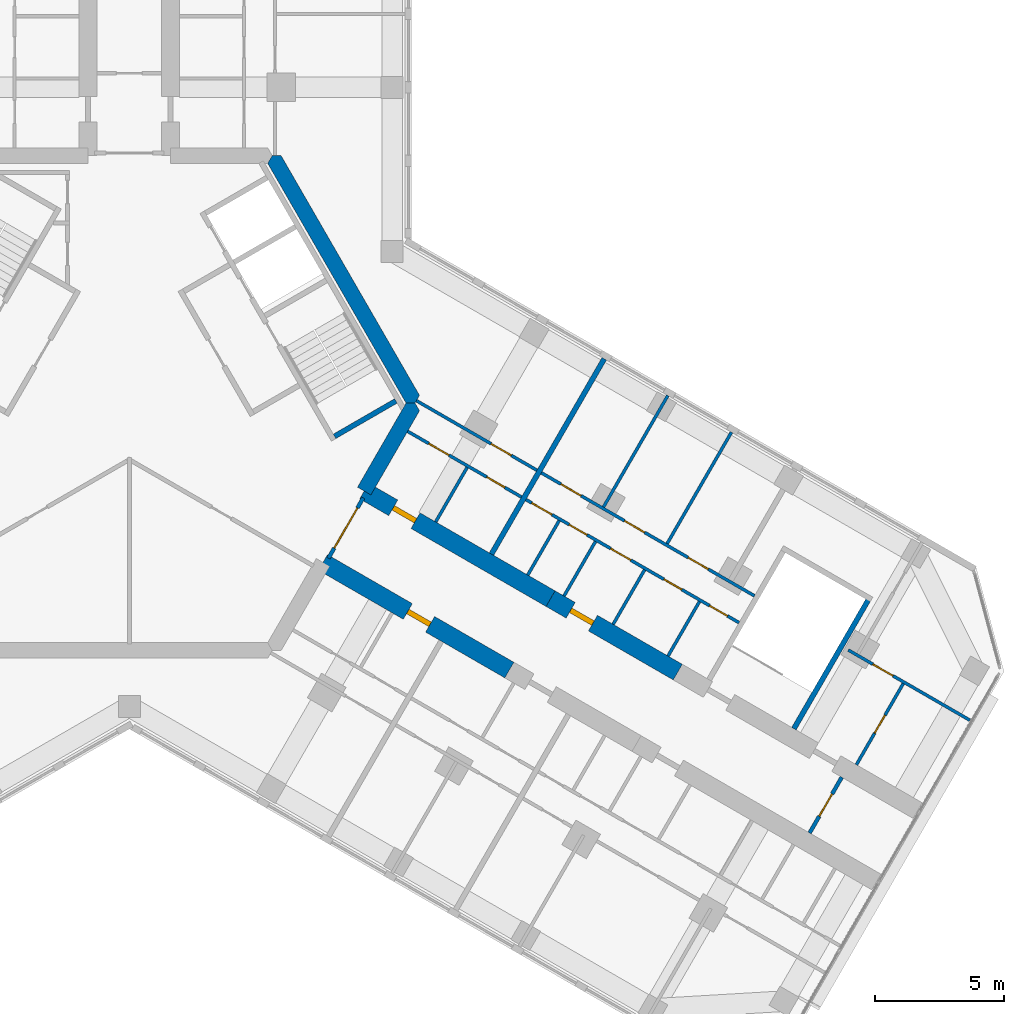
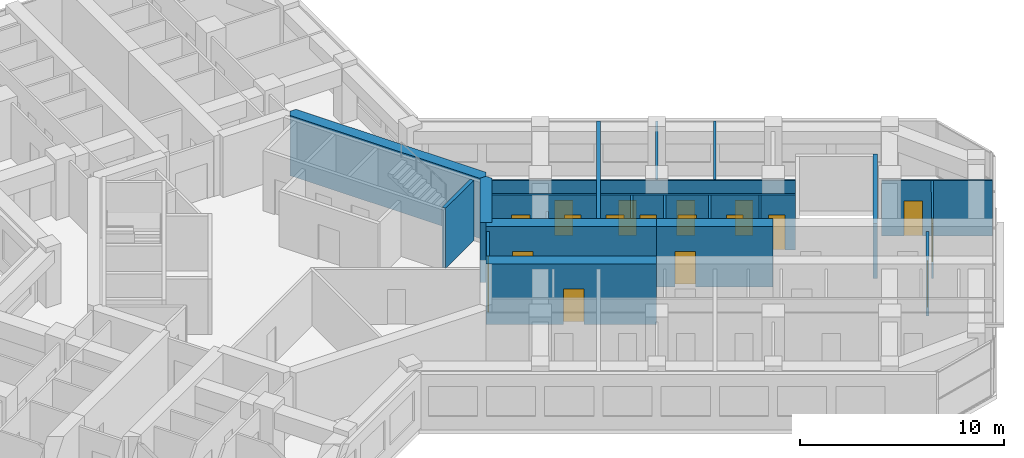
# One storey, part 12 of 16: 23 walls, 18 doors, 18 openings.
"""IFC4 building model written with IfcOpenShell, lengths in metres."""

from ifc_helpers import new_model, si_unit, direction, frame, frame_2d, origin, place, context, subcontext, project, spatial, polyline, rectangle, outline, extrude, material, layer, layer_set, type_object, element, fill, save


model = new_model("IFC4")

# Units and contexts
model_context = context("Model", 3, precision=1e-05, world=origin(), true_north=direction((0.0, 1.0)))
body_context = subcontext(model_context, "Body", "Model", "MODEL_VIEW")
ifc_project = project(units=[si_unit("LENGTHUNIT", "METRE"), si_unit("AREAUNIT", "SQUARE_METRE"), si_unit("VOLUMEUNIT", "CUBIC_METRE"), si_unit("PLANEANGLEUNIT", "RADIAN"), si_unit("MASSUNIT", "GRAM", prefix="KILO")], contexts=[model_context])

# Site, building, storey
site_placement = place(None, origin())
site = spatial("IfcSite", under=ifc_project, at=site_placement, CompositionType="ELEMENT")
building_placement = place(site_placement, origin())
building = spatial("IfcBuilding", under=site, at=building_placement, Name="Kosmar Iwan School Tower", CompositionType="ELEMENT")
storey_placement = place(building_placement, frame((0.0, 0.0, 256.800048828125)))
storey = spatial("IfcBuildingStorey", under=building, at=storey_placement, Name="L65", CompositionType="ELEMENT", Elevation=256.800048828125)

# Walls
ifc_material_1 = material(Name="Concrete C50/60", Category="concrete")
ifc_layer_1 = layer(ifc_material_1, 0.60009765625)
ifc_layer_set_1 = layer_set([ifc_layer_1], Name="Core wall 600")
wall_type_1 = type_object("IfcWallType", Name="Core wall 600", PredefinedType="SHEAR", material=ifc_layer_set_1)
wall_1_placement = place(storey_placement, origin())
element("IfcWall", 1, at=wall_1_placement, inside=storey, type_object=wall_type_1, Name="Core wall F030", PredefinedType="SHEAR", context=body_context, shape_type="SweptSolid", body=[
    extrude(outline(polyline([(10.73876953125, 0.0), (11.085205078125, 0.0), (11.25830078125, 0.300048828125), (5.888916015625, 9.60009765625), (5.54248046875, 9.60009765625), (5.369384765625, 9.300048828125), (10.73876953125, 0.0)])), origin(), (0.0, 0.0, 1.0), 3.599853515625),
])
wall_2_placement = place(storey_placement, origin())
element("IfcWall", 2, at=wall_2_placement, inside=storey, type_object=wall_type_1, Name="Core wall F330b", PredefinedType="SHEAR", context=body_context, shape_type="SweptSolid", body=[
    extrude(outline(polyline([(9.37353515625, -3.564453125), (11.25830078125, -0.300048828125), (11.085205078125, 0.0), (10.73876953125, 0.0), (8.85400390625, -3.264404296875), (9.37353515625, -3.564453125)])), origin(), (0.0, 0.0, 1.0), 3.599853515625),
])

# Wall, opening, door
ifc_material_2 = material(Name="Concrete C50/60", Category="concrete")
ifc_layer_2 = layer(ifc_material_2, 0.699951171875)
ifc_layer_set_2 = layer_set([ifc_layer_2], Name="Corridor buttress wall 700")
wall_type_2 = type_object("IfcWallType", Name="Corridor buttress wall 700", PredefinedType="SHEAR", material=ifc_layer_set_2)
wall_3_placement = place(storey_placement, frame((9.11376953125, -3.414306640625, 0.0), z_axis=(0.0, 0.0, 1.0), x_axis=(0.866026859388, -0.499997478812, 0.0)))
wall_3 = element("IfcWall", 3, at=wall_3_placement, inside=storey, type_object=wall_type_2, Name="Corridor wall CL", PredefinedType="SHEAR", context=body_context, shape_type="SweptSolid", body=[
    extrude(rectangle(XDim=8.35009765625, YDim=0.699951171875, at=frame_2d((4.175048828125, 0.0))), origin(), (0.0, 0.0, 1.0), 3.599853515625),
])
opening_1_placement = place(wall_3_placement, frame((1.300048828125, 0.0, 0.0)))
opening_1 = element("IfcOpeningElement", 4, at=opening_1_placement, cuts=wall_3, Name="Opening D1", PredefinedType="OPENING", context=body_context, shape_type="SweptSolid", body=[
    extrude(rectangle(XDim=1.0, YDim=2.10009765625, at=frame_2d((0.5, 1.050048828125))), frame((0.0, 0.362060546875, 0.0), z_axis=(0.0, -1.0, 0.0), x_axis=(1.0, 0.0, 0.0)), (0.0, 0.0, 1.0), 0.723876953125),
])
ifc_material_3 = material(Name="Timber fire door in steel frame", Category="steel")
door_type_1 = type_object("IfcDoorType", Name="Flat entrance door 1000x2100", OperationType="SINGLE_SWING_LEFT", PredefinedType="DOOR", material=ifc_material_3)
door_1_placement = place(opening_1_placement, origin())
door_1 = element("IfcDoor", 5, at=door_1_placement, inside=storey, type_object=door_type_1, Name="Flat L65-CL1 entrance door", OperationType="SINGLE_SWING_RIGHT", OverallHeight=2.10009765625, OverallWidth=1.0, PredefinedType="DOOR", context=body_context, shape_type="SweptSolid", body=[
    extrude(rectangle(XDim=1.0, YDim=2.10009765625, at=frame_2d((0.5, 1.050048828125))), frame((0.0, 0.10009765625, 0.0), z_axis=(0.0, -1.0, 0.0), x_axis=(1.0, 0.0, 0.0)), (0.0, 0.0, 1.0), 0.199951171875),
])
fill(opening_1, door_1)

wall_4_placement = place(storey_placement, frame((16.34521484375, -7.58935546875, 0.0), z_axis=(0.0, 0.0, 1.0), x_axis=(0.866015111908, -0.50001782563, 0.0)))
wall_4 = element("IfcWall", 6, at=wall_4_placement, inside=storey, type_object=wall_type_2, Name="Corridor wall CL bay 2", PredefinedType="SHEAR", context=body_context, shape_type="SweptSolid", body=[
    extrude(rectangle(XDim=5.699951171875, YDim=0.699951171875, at=frame_2d((2.85009765625, 0.0))), origin(), (0.0, 0.0, 1.0), 3.599853515625),
])
opening_2_placement = place(wall_4_placement, frame((0.89990234375, 0.0, 0.0)))
opening_2 = element("IfcOpeningElement", 7, at=opening_2_placement, cuts=wall_4, Name="Opening D1", PredefinedType="OPENING", context=body_context, shape_type="SweptSolid", body=[
    extrude(rectangle(XDim=1.0, YDim=2.10009765625, at=frame_2d((0.5, 1.050048828125))), frame((0.0, 0.362060546875, 0.0), z_axis=(0.0, -1.0, 0.0), x_axis=(1.0, 0.0, 0.0)), (0.0, 0.0, 1.0), 0.723876953125),
])
door_2_placement = place(opening_2_placement, origin())
door_2 = element("IfcDoor", 8, at=door_2_placement, inside=storey, type_object=door_type_1, Name="Flat L65-CL2 entrance door", OperationType="SINGLE_SWING_LEFT", OverallHeight=2.10009765625, OverallWidth=1.0, PredefinedType="DOOR", context=body_context, shape_type="SweptSolid", body=[
    extrude(rectangle(XDim=1.0, YDim=2.10009765625, at=frame_2d((0.5, 1.050048828125))), frame((0.0, 0.10009765625, 0.0), z_axis=(0.0, -1.0, 0.0), x_axis=(1.0, 0.0, 0.0)), (0.0, 0.0, 1.0), 0.199951171875),
])
fill(opening_2, door_2)

wall_5_placement = place(storey_placement, frame((7.513916015625, -6.185546875, 0.0), z_axis=(0.0, 0.0, 1.0), x_axis=(0.866019549707, -0.500010139422, 0.0)))
wall_5 = element("IfcWall", 9, at=wall_5_placement, inside=storey, type_object=wall_type_2, Name="Corridor wall CR", PredefinedType="SHEAR", context=body_context, shape_type="SweptSolid", body=[
    extrude(rectangle(XDim=8.349853515625, YDim=0.699951171875, at=frame_2d((4.1748046875, 0.0))), origin(), (0.0, 0.0, 1.0), 3.599853515625),
])
opening_3_placement = place(wall_5_placement, frame((3.800048828125, 0.0, 0.0)))
opening_3 = element("IfcOpeningElement", 10, at=opening_3_placement, cuts=wall_5, Name="Opening D1", PredefinedType="OPENING", context=body_context, shape_type="SweptSolid", body=[
    extrude(rectangle(XDim=1.0, YDim=2.10009765625, at=frame_2d((0.5, 1.050048828125))), frame((0.0, 0.362060546875, 0.0), z_axis=(0.0, -1.0, 0.0), x_axis=(1.0, 0.0, 0.0)), (0.0, 0.0, 1.0), 0.723876953125),
])
door_3_placement = place(opening_3_placement, origin())
door_3 = element("IfcDoor", 11, at=door_3_placement, inside=storey, type_object=door_type_1, Name="Flat L65-CR1 entrance door", OperationType="SINGLE_SWING_RIGHT", OverallHeight=2.10009765625, OverallWidth=1.0, PredefinedType="DOOR", context=body_context, shape_type="SweptSolid", body=[
    extrude(rectangle(XDim=1.0, YDim=2.10009765625, at=frame_2d((0.5, 1.050048828125))), frame((0.0, 0.10009765625, 0.0), z_axis=(0.0, -1.0, 0.0), x_axis=(1.0, 0.0, 0.0)), (0.0, 0.0, 1.0), 0.199951171875),
])
fill(opening_3, door_3)

ifc_material_4 = material(Name="Gypsum board on steel studs, fire-rated", Category="steel")
ifc_layer_3 = layer(ifc_material_4, 0.14990234375)
ifc_layer_set_3 = layer_set([ifc_layer_3], Name="Corridor end wall 150")
wall_type_3 = type_object("IfcWallType", Name="Corridor end wall 150", PredefinedType="PARTITIONING", material=ifc_layer_set_3)
wall_6_placement = place(storey_placement, frame((26.39501953125, -16.6826171875, 0.0), z_axis=(0.0, 0.0, 1.0), x_axis=(0.500004234368, 0.866022959057, 0.0)))
wall_6 = element("IfcWall", 12, at=wall_6_placement, inside=storey, type_object=wall_type_3, Name="Partition L65-C-CE", PredefinedType="PARTITIONING", context=body_context, shape_type="SweptSolid", body=[
    extrude(rectangle(XDim=2.5, YDim=0.14990234375, at=frame_2d((1.25, 0.0))), origin(), (0.0, 0.0, 1.0), 3.300048828125),
])
opening_4_placement = place(wall_6_placement, frame((0.75, 0.0, 0.0)))
opening_4 = element("IfcOpeningElement", 13, at=opening_4_placement, cuts=wall_6, Name="Opening D13", PredefinedType="OPENING", context=body_context, shape_type="SweptSolid", body=[
    extrude(rectangle(XDim=1.0, YDim=2.10009765625, at=frame_2d((0.5, 1.050048828125))), frame((0.0, 0.0869140625, 0.0), z_axis=(0.0, -1.0, 0.0), x_axis=(1.0, 0.0, 0.0)), (0.0, 0.0, 1.0), 0.173828125),
])
ifc_material_5 = material(Name="Timber fire door with vision panel", Category="wood")
door_type_2 = type_object("IfcDoorType", Name="Corridor end door 1000x2100", OperationType="SINGLE_SWING_LEFT", PredefinedType="DOOR", material=ifc_material_5)
door_4_placement = place(opening_4_placement, origin())
door_4 = element("IfcDoor", 14, at=door_4_placement, inside=storey, type_object=door_type_2, Name="Laundry and drying room door L65-C", OperationType="SINGLE_SWING_LEFT", OverallHeight=2.10009765625, OverallWidth=1.0, PredefinedType="DOOR", context=body_context, shape_type="SweptSolid", body=[
    extrude(rectangle(XDim=1.0, YDim=2.10009765625, at=frame_2d((0.5, 1.050048828125))), frame((0.0, 0.02490234375, 0.0), z_axis=(0.0, -1.0, 0.0), x_axis=(1.0, 0.0, 0.0)), (0.0, 0.0, 1.0), 0.050048828125),
])
fill(opening_4, door_4)

ifc_material_6 = material(Name="Steel framed glazed screen", Category="steel")
ifc_layer_4 = layer(ifc_material_6, 0.14990234375)
ifc_layer_set_4 = layer_set([ifc_layer_4], Name="Corridor screen wall 150")
wall_type_4 = type_object("IfcWallType", Name="Corridor screen wall 150", PredefinedType="PARTITIONING", material=ifc_layer_set_4)
wall_7_placement = place(storey_placement, frame((7.725341796875, -6.01904296875, 0.0), z_axis=(0.0, 0.0, 1.0), x_axis=(0.500048589285, 0.86599734893, 0.0)))
wall_7 = element("IfcWall", 15, at=wall_7_placement, inside=storey, type_object=wall_type_4, Name="Corridor screen C L65", PredefinedType="PARTITIONING", context=body_context, shape_type="SweptSolid", body=[
    extrude(rectangle(XDim=2.699951171875, YDim=0.14990234375, at=frame_2d((1.35009765625, 0.0))), origin(), (0.0, 0.0, 1.0), 3.300048828125),
])
opening_5_placement = place(wall_7_placement, frame((0.449951171875, 0.0, 0.0)))
opening_5 = element("IfcOpeningElement", 16, at=opening_5_placement, cuts=wall_7, Name="Opening D9", PredefinedType="OPENING", context=body_context, shape_type="SweptSolid", body=[
    extrude(rectangle(XDim=1.800048828125, YDim=2.10009765625, at=frame_2d((0.89990234375, 1.050048828125))), frame((0.0, 0.0869140625, 0.0), z_axis=(0.0, -1.0, 0.0), x_axis=(1.0, 0.0, 0.0)), (0.0, 0.0, 1.0), 0.173828125),
])
ifc_material_7 = material(Name="Steel framed glazed smoke door", Category="steel")
door_type_3 = type_object("IfcDoorType", Name="Corridor smoke door pair 1800x2100", OperationType="DOUBLE_DOOR_DOUBLE_SWING", PredefinedType="DOOR", material=ifc_material_7)
door_5_placement = place(opening_5_placement, origin())
door_5 = element("IfcDoor", 17, at=door_5_placement, inside=storey, type_object=door_type_3, Name="Corridor doors C L65", OperationType="DOUBLE_DOOR_DOUBLE_SWING", OverallHeight=2.10009765625, OverallWidth=1.800048828125, PredefinedType="DOOR", context=body_context, shape_type="SweptSolid", body=[
    extrude(rectangle(XDim=1.800048828125, YDim=2.10009765625, at=frame_2d((0.89990234375, 1.050048828125))), frame((0.0, 0.02490234375, 0.0), z_axis=(0.0, -1.0, 0.0), x_axis=(1.0, 0.0, 0.0)), (0.0, 0.0, 1.0), 0.050048828125),
])
fill(opening_5, door_5)

# Wall, openings, doors
ifc_material_8 = material(Name="Gypsum board on steel studs", Category="steel")
ifc_layer_5 = layer(ifc_material_8, 0.1201171875)
ifc_layer_set_5 = layer_set([ifc_layer_5], Name="Dwelling partition 120")
wall_type_5 = type_object("IfcWallType", Name="Dwelling partition 120", PredefinedType="PARTITIONING", material=ifc_layer_set_5)
wall_8_placement = place(storey_placement, frame((10.798583984375, -1.09619140625, 0.0), z_axis=(0.0, 0.0, 1.0), x_axis=(0.86602216432, -0.500005610874, 0.0)))
wall_8 = element("IfcWall", 18, at=wall_8_placement, inside=storey, type_object=wall_type_5, Name="Partition L65-CL1-W1", PredefinedType="PARTITIONING", context=body_context, shape_type="SweptSolid", body=[
    extrude(rectangle(XDim=5.10009765625, YDim=0.1201171875, at=frame_2d((2.550048828125, 0.0))), origin(), (0.0, 0.0, 1.0), 3.300048828125),
])
opening_6_placement = place(wall_8_placement, frame((0.949951171875, 0.0, 0.0)))
opening_6 = element("IfcOpeningElement", 19, at=opening_6_placement, cuts=wall_8, Name="Opening D2", PredefinedType="OPENING", context=body_context, shape_type="SweptSolid", body=[
    extrude(rectangle(XDim=0.89990234375, YDim=2.10009765625, at=frame_2d((0.449951171875, 1.050048828125))), frame((0.0, 0.072021484375, 0.0), z_axis=(0.0, -1.0, 0.0), x_axis=(1.0, 0.0, 0.0)), (0.0, 0.0, 1.0), 0.14404296875),
])
opening_7_placement = place(wall_8_placement, frame((3.550048828125, 0.0, 0.0)))
opening_7 = element("IfcOpeningElement", 20, at=opening_7_placement, cuts=wall_8, Name="Opening D3", PredefinedType="OPENING", context=body_context, shape_type="SweptSolid", body=[
    extrude(rectangle(XDim=0.800048828125, YDim=2.10009765625, at=frame_2d((0.39990234375, 1.050048828125))), frame((0.0, 0.072021484375, 0.0), z_axis=(0.0, -1.0, 0.0), x_axis=(1.0, 0.0, 0.0)), (0.0, 0.0, 1.0), 0.14404296875),
])
ifc_material_9 = material(Name="Timber door in timber frame", Category="wood")
door_type_4 = type_object("IfcDoorType", Name="Internal door 900x2100", OperationType="SINGLE_SWING_LEFT", PredefinedType="DOOR", material=ifc_material_9)
door_6_placement = place(opening_6_placement, origin())
door_6 = element("IfcDoor", 21, at=door_6_placement, inside=storey, type_object=door_type_4, Name="Entrance hall door L65-CL1-S1", OperationType="SINGLE_SWING_LEFT", OverallHeight=2.10009765625, OverallWidth=0.89990234375, PredefinedType="DOOR", context=body_context, shape_type="SweptSolid", body=[
    extrude(rectangle(XDim=0.89990234375, YDim=2.10009765625, at=frame_2d((0.449951171875, 1.050048828125))), frame((0.0, 0.02490234375, 0.0), z_axis=(0.0, -1.0, 0.0), x_axis=(1.0, 0.0, 0.0)), (0.0, 0.0, 1.0), 0.050048828125),
])
fill(opening_6, door_6)
ifc_material_10 = material(Name="Timber door in timber frame", Category="wood")
door_type_5 = type_object("IfcDoorType", Name="Sanitary room door 800x2100", OperationType="SINGLE_SWING_LEFT", PredefinedType="DOOR", material=ifc_material_10)
door_7_placement = place(opening_7_placement, origin())
door_7 = element("IfcDoor", 22, at=door_7_placement, inside=storey, type_object=door_type_5, Name="Bathroom door L65-CL1-S2", OperationType="SINGLE_SWING_RIGHT", OverallHeight=2.10009765625, OverallWidth=0.800048828125, PredefinedType="DOOR", context=body_context, shape_type="SweptSolid", body=[
    extrude(rectangle(XDim=0.800048828125, YDim=2.10009765625, at=frame_2d((0.39990234375, 1.050048828125))), frame((0.0, 0.02490234375, 0.0), z_axis=(0.0, -1.0, 0.0), x_axis=(1.0, 0.0, 0.0)), (0.0, 0.0, 1.0), 0.050048828125),
])
fill(opening_7, door_7)

# Wall, opening, door
wall_9_placement = place(storey_placement, frame((11.138916015625, 0.093017578125, 0.0), z_axis=(0.0, 0.0, 1.0), x_axis=(0.866028230842, -0.499995103361, 0.0)))
wall_9 = element("IfcWall", 23, at=wall_9_placement, inside=storey, type_object=wall_type_5, Name="Partition L65-CL1-W2", PredefinedType="PARTITIONING", context=body_context, shape_type="SweptSolid", body=[
    extrude(rectangle(XDim=5.39990234375, YDim=0.1201171875, at=frame_2d((2.699951171875, 0.0))), origin(), (0.0, 0.0, 1.0), 3.300048828125),
])
opening_8_placement = place(wall_9_placement, frame((3.35009765625, 0.0, 0.0)))
opening_8 = element("IfcOpeningElement", 24, at=opening_8_placement, cuts=wall_9, Name="Opening D2", PredefinedType="OPENING", context=body_context, shape_type="SweptSolid", body=[
    extrude(rectangle(XDim=0.89990234375, YDim=2.10009765625, at=frame_2d((0.449951171875, 1.050048828125))), frame((0.0, 0.072021484375, 0.0), z_axis=(0.0, -1.0, 0.0), x_axis=(1.0, 0.0, 0.0)), (0.0, 0.0, 1.0), 0.14404296875),
])
door_8_placement = place(opening_8_placement, origin())
door_8 = element("IfcDoor", 25, at=door_8_placement, inside=storey, type_object=door_type_4, Name="Studio living room and kitchen door L65-CL1-F1", OperationType="SINGLE_SWING_RIGHT", OverallHeight=2.10009765625, OverallWidth=0.89990234375, PredefinedType="DOOR", context=body_context, shape_type="SweptSolid", body=[
    extrude(rectangle(XDim=0.89990234375, YDim=2.10009765625, at=frame_2d((0.449951171875, 1.050048828125))), frame((0.0, 0.02490234375, 0.0), z_axis=(0.0, -1.0, 0.0), x_axis=(1.0, 0.0, 0.0)), (0.0, 0.0, 1.0), 0.050048828125),
])
fill(opening_8, door_8)

# Wall
wall_10_placement = place(storey_placement, frame((11.886962890625, -4.611328125, 0.0), z_axis=(0.0, 0.0, 1.0), x_axis=(0.499959183527, 0.866048967903, 0.0)))
element("IfcWall", 26, at=wall_10_placement, inside=storey, type_object=wall_type_5, Name="Partition L65-CL1-Y1", PredefinedType="PARTITIONING", context=body_context, shape_type="SweptSolid", body=[
    extrude(rectangle(XDim=2.440185546875, YDim=0.1201171875, at=frame_2d((1.22021484375, 0.0))), origin(), (0.0, 0.0, 1.0), 2.300048828125),
])

# Wall, openings, doors
wall_11_placement = place(storey_placement, frame((15.388671875, -3.74609375, 0.0), z_axis=(0.0, 0.0, 1.0), x_axis=(0.866017851049, -0.500013081493, 0.0)))
wall_11 = element("IfcWall", 27, at=wall_11_placement, inside=storey, type_object=wall_type_5, Name="Partition L65-CL2-W1", PredefinedType="PARTITIONING", context=body_context, shape_type="SweptSolid", body=[
    extrude(rectangle(XDim=9.550048828125, YDim=0.1201171875, at=frame_2d((4.77490234375, 0.0))), origin(), (0.0, 0.0, 1.0), 3.300048828125),
])
opening_9_placement = place(wall_11_placement, frame((0.262451171875, 0.0, 0.0)))
opening_9 = element("IfcOpeningElement", 28, at=opening_9_placement, cuts=wall_11, Name="Opening D2", PredefinedType="OPENING", context=body_context, shape_type="SweptSolid", body=[
    extrude(rectangle(XDim=0.89990234375, YDim=2.10009765625, at=frame_2d((0.449951171875, 1.050048828125))), frame((0.0, 0.072021484375, 0.0), z_axis=(0.0, -1.0, 0.0), x_axis=(1.0, 0.0, 0.0)), (0.0, 0.0, 1.0), 0.14404296875),
])
opening_10_placement = place(wall_11_placement, frame((1.9375, 0.0, 0.0)))
opening_10 = element("IfcOpeningElement", 29, at=opening_10_placement, cuts=wall_11, Name="Opening D3", PredefinedType="OPENING", context=body_context, shape_type="SweptSolid", body=[
    extrude(rectangle(XDim=0.800048828125, YDim=2.10009765625, at=frame_2d((0.39990234375, 1.050048828125))), frame((0.0, 0.072021484375, 0.0), z_axis=(0.0, -1.0, 0.0), x_axis=(1.0, 0.0, 0.0)), (0.0, 0.0, 1.0), 0.14404296875),
])
opening_11_placement = place(wall_11_placement, frame((3.800048828125, 0.0, 0.0)))
opening_11 = element("IfcOpeningElement", 30, at=opening_11_placement, cuts=wall_11, Name="Opening D2", PredefinedType="OPENING", context=body_context, shape_type="SweptSolid", body=[
    extrude(rectangle(XDim=0.89990234375, YDim=2.10009765625, at=frame_2d((0.449951171875, 1.050048828125))), frame((0.0, 0.072021484375, 0.0), z_axis=(0.0, -1.0, 0.0), x_axis=(1.0, 0.0, 0.0)), (0.0, 0.0, 1.0), 0.14404296875),
])
opening_12_placement = place(wall_11_placement, frame((6.179931640625, 0.0, 0.0)))
opening_12 = element("IfcOpeningElement", 31, at=opening_12_placement, cuts=wall_11, Name="Opening D3", PredefinedType="OPENING", context=body_context, shape_type="SweptSolid", body=[
    extrude(rectangle(XDim=0.800048828125, YDim=2.10009765625, at=frame_2d((0.39990234375, 1.050048828125))), frame((0.0, 0.072021484375, 0.0), z_axis=(0.0, -1.0, 0.0), x_axis=(1.0, 0.0, 0.0)), (0.0, 0.0, 1.0), 0.14404296875),
])
opening_13_placement = place(wall_11_placement, frame((8.22998046875, 0.0, 0.0)))
opening_13 = element("IfcOpeningElement", 32, at=opening_13_placement, cuts=wall_11, Name="Opening D3", PredefinedType="OPENING", context=body_context, shape_type="SweptSolid", body=[
    extrude(rectangle(XDim=0.800048828125, YDim=2.10009765625, at=frame_2d((0.39990234375, 1.050048828125))), frame((0.0, 0.072021484375, 0.0), z_axis=(0.0, -1.0, 0.0), x_axis=(1.0, 0.0, 0.0)), (0.0, 0.0, 1.0), 0.14404296875),
])
door_9_placement = place(opening_9_placement, origin())
door_9 = element("IfcDoor", 33, at=door_9_placement, inside=storey, type_object=door_type_4, Name="Pantry door L65-CL2-S1", OperationType="SINGLE_SWING_LEFT", OverallHeight=2.10009765625, OverallWidth=0.89990234375, PredefinedType="DOOR", context=body_context, shape_type="SweptSolid", body=[
    extrude(rectangle(XDim=0.89990234375, YDim=2.10009765625, at=frame_2d((0.449951171875, 1.050048828125))), frame((0.0, 0.02490234375, 0.0), z_axis=(0.0, -1.0, 0.0), x_axis=(1.0, 0.0, 0.0)), (0.0, 0.0, 1.0), 0.050048828125),
])
fill(opening_9, door_9)
door_10_placement = place(opening_11_placement, origin())
door_10 = element("IfcDoor", 34, at=door_10_placement, inside=storey, type_object=door_type_4, Name="Entrance hall door L65-CL2-S3", OperationType="SINGLE_SWING_LEFT", OverallHeight=2.10009765625, OverallWidth=0.89990234375, PredefinedType="DOOR", context=body_context, shape_type="SweptSolid", body=[
    extrude(rectangle(XDim=0.89990234375, YDim=2.10009765625, at=frame_2d((0.449951171875, 1.050048828125))), frame((0.0, 0.02490234375, 0.0), z_axis=(0.0, -1.0, 0.0), x_axis=(1.0, 0.0, 0.0)), (0.0, 0.0, 1.0), 0.050048828125),
])
fill(opening_11, door_10)
door_11_placement = place(opening_10_placement, origin())
door_11 = element("IfcDoor", 35, at=door_11_placement, inside=storey, type_object=door_type_5, Name="Grandparents' shower room door L65-CL2-S2", OperationType="SINGLE_SWING_LEFT", OverallHeight=2.10009765625, OverallWidth=0.800048828125, PredefinedType="DOOR", context=body_context, shape_type="SweptSolid", body=[
    extrude(rectangle(XDim=0.800048828125, YDim=2.10009765625, at=frame_2d((0.39990234375, 1.050048828125))), frame((0.0, 0.02490234375, 0.0), z_axis=(0.0, -1.0, 0.0), x_axis=(1.0, 0.0, 0.0)), (0.0, 0.0, 1.0), 0.050048828125),
])
fill(opening_10, door_11)
door_12_placement = place(opening_12_placement, origin())
door_12 = element("IfcDoor", 36, at=door_12_placement, inside=storey, type_object=door_type_5, Name="Bathroom door L65-CL2-S4", OperationType="SINGLE_SWING_RIGHT", OverallHeight=2.10009765625, OverallWidth=0.800048828125, PredefinedType="DOOR", context=body_context, shape_type="SweptSolid", body=[
    extrude(rectangle(XDim=0.800048828125, YDim=2.10009765625, at=frame_2d((0.39990234375, 1.050048828125))), frame((0.0, 0.02490234375, 0.0), z_axis=(0.0, -1.0, 0.0), x_axis=(1.0, 0.0, 0.0)), (0.0, 0.0, 1.0), 0.050048828125),
])
fill(opening_12, door_12)
door_13_placement = place(opening_13_placement, origin())
door_13 = element("IfcDoor", 37, at=door_13_placement, inside=storey, type_object=door_type_5, Name="Shower room door L65-CL2-S5", OperationType="SINGLE_SWING_RIGHT", OverallHeight=2.10009765625, OverallWidth=0.800048828125, PredefinedType="DOOR", context=body_context, shape_type="SweptSolid", body=[
    extrude(rectangle(XDim=0.800048828125, YDim=2.10009765625, at=frame_2d((0.39990234375, 1.050048828125))), frame((0.0, 0.02490234375, 0.0), z_axis=(0.0, -1.0, 0.0), x_axis=(1.0, 0.0, 0.0)), (0.0, 0.0, 1.0), 0.050048828125),
])
fill(opening_13, door_13)

wall_12_placement = place(storey_placement, frame((15.988525390625, -2.70703125, 0.0), z_axis=(0.0, 0.0, 1.0), x_axis=(0.866028920859, -0.499993908199, 0.0)))
wall_12 = element("IfcWall", 38, at=wall_12_placement, inside=storey, type_object=wall_type_5, Name="Partition L65-CL2-W2", PredefinedType="PARTITIONING", context=body_context, shape_type="SweptSolid", body=[
    extrude(rectangle(XDim=9.5498046875, YDim=0.1201171875, at=frame_2d((4.77490234375, 0.0))), origin(), (0.0, 0.0, 1.0), 3.300048828125),
])
opening_14_placement = place(wall_12_placement, frame((0.875, 0.0, 0.0)))
opening_14 = element("IfcOpeningElement", 39, at=opening_14_placement, cuts=wall_12, Name="Opening D2", PredefinedType="OPENING", context=body_context, shape_type="SweptSolid", body=[
    extrude(rectangle(XDim=0.89990234375, YDim=2.10009765625, at=frame_2d((0.449951171875, 1.050048828125))), frame((0.0, 0.072021484375, 0.0), z_axis=(0.0, -1.0, 0.0), x_axis=(1.0, 0.0, 0.0)), (0.0, 0.0, 1.0), 0.14404296875),
])
opening_15_placement = place(wall_12_placement, frame((3.72509765625, 0.0, 0.0)))
opening_15 = element("IfcOpeningElement", 40, at=opening_15_placement, cuts=wall_12, Name="Opening D2", PredefinedType="OPENING", context=body_context, shape_type="SweptSolid", body=[
    extrude(rectangle(XDim=0.89990234375, YDim=2.10009765625, at=frame_2d((0.449951171875, 1.050048828125))), frame((0.0, 0.072021484375, 0.0), z_axis=(0.0, -1.0, 0.0), x_axis=(1.0, 0.0, 0.0)), (0.0, 0.0, 1.0), 0.14404296875),
])
opening_16_placement = place(wall_12_placement, frame((6.574951171875, 0.0, 0.0)))
opening_16 = element("IfcOpeningElement", 41, at=opening_16_placement, cuts=wall_12, Name="Opening D2", PredefinedType="OPENING", context=body_context, shape_type="SweptSolid", body=[
    extrude(rectangle(XDim=0.89990234375, YDim=2.10009765625, at=frame_2d((0.449951171875, 1.050048828125))), frame((0.0, 0.072021484375, 0.0), z_axis=(0.0, -1.0, 0.0), x_axis=(1.0, 0.0, 0.0)), (0.0, 0.0, 1.0), 0.14404296875),
])
door_14_placement = place(opening_14_placement, origin())
door_14 = element("IfcDoor", 42, at=door_14_placement, inside=storey, type_object=door_type_4, Name="Bedroom 1 door L65-CL2-F1", OperationType="SINGLE_SWING_LEFT", OverallHeight=2.10009765625, OverallWidth=0.89990234375, PredefinedType="DOOR", context=body_context, shape_type="SweptSolid", body=[
    extrude(rectangle(XDim=0.89990234375, YDim=2.10009765625, at=frame_2d((0.449951171875, 1.050048828125))), frame((0.0, 0.02490234375, 0.0), z_axis=(0.0, -1.0, 0.0), x_axis=(1.0, 0.0, 0.0)), (0.0, 0.0, 1.0), 0.050048828125),
])
fill(opening_14, door_14)
door_15_placement = place(opening_15_placement, origin())
door_15 = element("IfcDoor", 43, at=door_15_placement, inside=storey, type_object=door_type_4, Name="Living room and kitchen door L65-CL2-F2", OperationType="SINGLE_SWING_RIGHT", OverallHeight=2.10009765625, OverallWidth=0.89990234375, PredefinedType="DOOR", context=body_context, shape_type="SweptSolid", body=[
    extrude(rectangle(XDim=0.89990234375, YDim=2.10009765625, at=frame_2d((0.449951171875, 1.050048828125))), frame((0.0, 0.02490234375, 0.0), z_axis=(0.0, -1.0, 0.0), x_axis=(1.0, 0.0, 0.0)), (0.0, 0.0, 1.0), 0.050048828125),
])
fill(opening_15, door_15)
door_16_placement = place(opening_16_placement, origin())
door_16 = element("IfcDoor", 44, at=door_16_placement, inside=storey, type_object=door_type_4, Name="Grandparents' suite door L65-CL2-F3", OperationType="SINGLE_SWING_LEFT", OverallHeight=2.10009765625, OverallWidth=0.89990234375, PredefinedType="DOOR", context=body_context, shape_type="SweptSolid", body=[
    extrude(rectangle(XDim=0.89990234375, YDim=2.10009765625, at=frame_2d((0.449951171875, 1.050048828125))), frame((0.0, 0.02490234375, 0.0), z_axis=(0.0, -1.0, 0.0), x_axis=(1.0, 0.0, 0.0)), (0.0, 0.0, 1.0), 0.050048828125),
])
fill(opening_16, door_16)

# Walls
wall_13_placement = place(storey_placement, frame((18.400146484375, -4.030029296875, 0.0), z_axis=(0.0, 0.0, 1.0), x_axis=(0.500011847778, 0.866018563358, 0.0)))
element("IfcWall", 45, at=wall_13_placement, inside=storey, type_object=wall_type_5, Name="Partition L65-CL2-X1", PredefinedType="PARTITIONING", context=body_context, shape_type="SweptSolid", body=[
    extrude(rectangle(XDim=4.990234375, YDim=0.1201171875, at=frame_2d((2.4951171875, 0.0))), origin(), (0.0, 0.0, 1.0), 3.300048828125),
])
wall_14_placement = place(storey_placement, frame((20.868408203125, -5.455078125, 0.0), z_axis=(0.0, 0.0, 1.0), x_axis=(0.499975153383, 0.86603974851, 0.0)))
element("IfcWall", 46, at=wall_14_placement, inside=storey, type_object=wall_type_5, Name="Partition L65-CL2-X2", PredefinedType="PARTITIONING", context=body_context, shape_type="SweptSolid", body=[
    extrude(rectangle(XDim=4.989990234375, YDim=0.1201171875, at=frame_2d((2.4951171875, 0.0))), origin(), (0.0, 0.0, 1.0), 3.300048828125),
])
for number, where, z_axis, x_axis, name in (
    (47, (15.459228515625, -6.673828125, 0.0), (0.0, 0.0, 1.0), (0.499959183527, 0.866048967903, 0.0), "Partition L65-CL2-Y1"),
    (48, (16.866455078125, -7.486328125, 0.0), (0.0, 0.0, 1.0), (0.500034220881, 0.866005645448, 0.0), "Partition L65-CL2-Y2"),
):
    element("IfcWall", number, at=place(storey_placement, frame(where, z_axis=z_axis, x_axis=x_axis)), inside=storey, type_object=wall_type_5, Name=name, PredefinedType="PARTITIONING", context=body_context, shape_type="SweptSolid", body=[
        extrude(rectangle(XDim=2.440185546875, YDim=0.1201171875, at=frame_2d((1.22021484375, 0.0))), origin(), (0.0, 0.0, 1.0), 3.300048828125),
    ])
for number, where, z_axis, x_axis, name in (
    (49, (18.771728515625, -8.586181640625, 0.0), (0.0, 0.0, 1.0), (0.500077547548, 0.865980627057, 0.0), "Partition L65-CL2-Y3"),
    (50, (20.90234375, -9.816162109375, 0.0), (0.0, 0.0, 1.0), (0.500002508028, 0.866023955769, 0.0), "Partition L65-CL2-Y4"),
):
    element("IfcWall", number, at=place(storey_placement, frame(where, z_axis=z_axis, x_axis=x_axis)), inside=storey, type_object=wall_type_5, Name=name, PredefinedType="PARTITIONING", context=body_context, shape_type="SweptSolid", body=[
        extrude(rectangle(XDim=2.43994140625, YDim=0.1201171875, at=frame_2d((1.219970703125, 0.0))), origin(), (0.0, 0.0, 1.0), 3.300048828125),
    ])

# Wall, opening, door
wall_15_placement = place(storey_placement, frame((27.896484375, -9.58203125, 0.0), z_axis=(0.0, 0.0, 1.0), x_axis=(0.866035508231, -0.499982498177, 0.0)))
wall_15 = element("IfcWall", 51, at=wall_15_placement, inside=storey, type_object=wall_type_5, Name="Partition L65-CL3-TW", PredefinedType="PARTITIONING", context=body_context, shape_type="SweptSolid", body=[
    extrude(rectangle(XDim=5.445068359375, YDim=0.1201171875, at=frame_2d((2.72265625, 0.0))), origin(), (0.0, 0.0, 1.0), 3.300048828125),
])
opening_17_placement = place(wall_15_placement, frame((1.10009765625, 0.0, 0.0)))
opening_17 = element("IfcOpeningElement", 52, at=opening_17_placement, cuts=wall_15, Name="Opening D2", PredefinedType="OPENING", context=body_context, shape_type="SweptSolid", body=[
    extrude(rectangle(XDim=0.89990234375, YDim=2.10009765625, at=frame_2d((0.449951171875, 1.050048828125))), frame((0.0, 0.072021484375, 0.0), z_axis=(0.0, -1.0, 0.0), x_axis=(1.0, 0.0, 0.0)), (0.0, 0.0, 1.0), 0.14404296875),
])
door_17_placement = place(opening_17_placement, origin())
door_17 = element("IfcDoor", 53, at=door_17_placement, inside=storey, type_object=door_type_4, Name="Entrance hall door L65-CL3-T3", OperationType="SINGLE_SWING_LEFT", OverallHeight=2.10009765625, OverallWidth=0.89990234375, PredefinedType="DOOR", context=body_context, shape_type="SweptSolid", body=[
    extrude(rectangle(XDim=0.89990234375, YDim=2.10009765625, at=frame_2d((0.449951171875, 1.050048828125))), frame((0.0, 0.02490234375, 0.0), z_axis=(0.0, -1.0, 0.0), x_axis=(1.0, 0.0, 0.0)), (0.0, 0.0, 1.0), 0.050048828125),
])
fill(opening_17, door_17)

wall_16_placement = place(storey_placement, frame((28.21142578125, -14.036376953125, 0.0), z_axis=(0.0, 0.0, 1.0), x_axis=(0.499983701346, 0.866034813612, 0.0)))
wall_16 = element("IfcWall", 54, at=wall_16_placement, inside=storey, type_object=wall_type_5, Name="Partition L65-CL3-TY", PredefinedType="PARTITIONING", context=body_context, shape_type="SweptSolid", body=[
    extrude(rectangle(XDim=3.64013671875, YDim=0.1201171875, at=frame_2d((1.820068359375, 0.0))), origin(), (0.0, 0.0, 1.0), 3.300048828125),
])
opening_18_placement = place(wall_16_placement, frame((1.419921875, 0.0, 0.0)))
opening_18 = element("IfcOpeningElement", 55, at=opening_18_placement, cuts=wall_16, Name="Opening D3", PredefinedType="OPENING", context=body_context, shape_type="SweptSolid", body=[
    extrude(rectangle(XDim=0.800048828125, YDim=2.10009765625, at=frame_2d((0.39990234375, 1.050048828125))), frame((0.0, 0.072021484375, 0.0), z_axis=(0.0, -1.0, 0.0), x_axis=(1.0, 0.0, 0.0)), (0.0, 0.0, 1.0), 0.14404296875),
])
door_18_placement = place(opening_18_placement, origin())
door_18 = element("IfcDoor", 56, at=door_18_placement, inside=storey, type_object=door_type_5, Name="Bathroom door L65-CL3-T4", OperationType="SINGLE_SWING_LEFT", OverallHeight=2.10009765625, OverallWidth=0.800048828125, PredefinedType="DOOR", context=body_context, shape_type="SweptSolid", body=[
    extrude(rectangle(XDim=0.800048828125, YDim=2.10009765625, at=frame_2d((0.39990234375, 1.050048828125))), frame((0.0, 0.02490234375, 0.0), z_axis=(0.0, -1.0, 0.0), x_axis=(1.0, 0.0, 0.0)), (0.0, 0.0, 1.0), 0.050048828125),
])
fill(opening_18, door_18)

# Walls
ifc_material_11 = material(Name="Concrete C35/45", Category="concrete")
ifc_layer_6 = layer(ifc_material_11, 0.199951171875)
ifc_layer_set_6 = layer_set([ifc_layer_6], Name="Escape stair wall 200")
wall_type_6 = type_object("IfcWallType", Name="Escape stair wall 200", PredefinedType="SHEAR", material=ifc_layer_set_6)
wall_17_placement = place(storey_placement, frame((25.78662109375, -12.63623046875, 0.0), z_axis=(0.0, 0.0, 1.0), x_axis=(0.500013701029, 0.866017493347, 0.0)))
element("IfcWall", 57, at=wall_17_placement, inside=storey, type_object=wall_type_6, Name="Stair WS3 wall", PredefinedType="SHEAR", context=body_context, shape_type="SweptSolid", body=[
    extrude(rectangle(XDim=5.949951171875, YDim=0.199951171875, at=frame_2d((2.97509765625, 0.0))), origin(), (0.0, 0.0, 1.0), 3.280029296875),
])
ifc_material_12 = material(Name="Concrete block masonry", Category="masonry")
ifc_layer_7 = layer(ifc_material_12, 0.199951171875)
ifc_layer_set_7 = layer_set([ifc_layer_7], Name="Party wall 200")
wall_type_7 = type_object("IfcWallType", Name="Party wall 200", PredefinedType="PARTITIONING", material=ifc_layer_set_7)
wall_18_placement = place(storey_placement, frame((14.052001953125, -5.861328125, 0.0), z_axis=(0.0, 0.0, 1.0), x_axis=(0.499992152613, 0.866029934428, 0.0)))
element("IfcWall", 58, at=wall_18_placement, inside=storey, type_object=wall_type_7, Name="Partition L65-CL2-PW", PredefinedType="PARTITIONING", context=body_context, shape_type="SweptSolid", body=[
    extrude(rectangle(XDim=8.750244140625, YDim=0.199951171875, at=frame_2d((4.375, 0.0))), origin(), (0.0, 0.0, 1.0), 3.300048828125),
])
ifc_material_13 = material(Name="Concrete C50/60", Category="concrete")
ifc_layer_8 = layer(ifc_material_13, 0.199951171875)
ifc_layer_set_8 = layer_set([ifc_layer_8], Name="Stair enclosure wall 200")
wall_type_8 = type_object("IfcWallType", Name="Stair enclosure wall 200", PredefinedType="SHEAR", material=ifc_layer_set_8)
wall_19_placement = place(storey_placement, frame((7.962646484375, -1.291748046875, 0.0), z_axis=(0.0, 0.0, 1.0), x_axis=(0.866027397988, 0.499996545922, 0.0)))
element("IfcWall", 59, at=wall_19_placement, inside=storey, type_object=wall_type_8, Name="Stair ST1 wall", PredefinedType="SHEAR", context=body_context, shape_type="SweptSolid", body=[
    extrude(rectangle(XDim=2.75, YDim=0.199951171875, at=frame_2d((1.375, 0.0))), origin(), (0.0, 0.0, 1.0), 3.599853515625),
])

save(model, "model.ifc")
